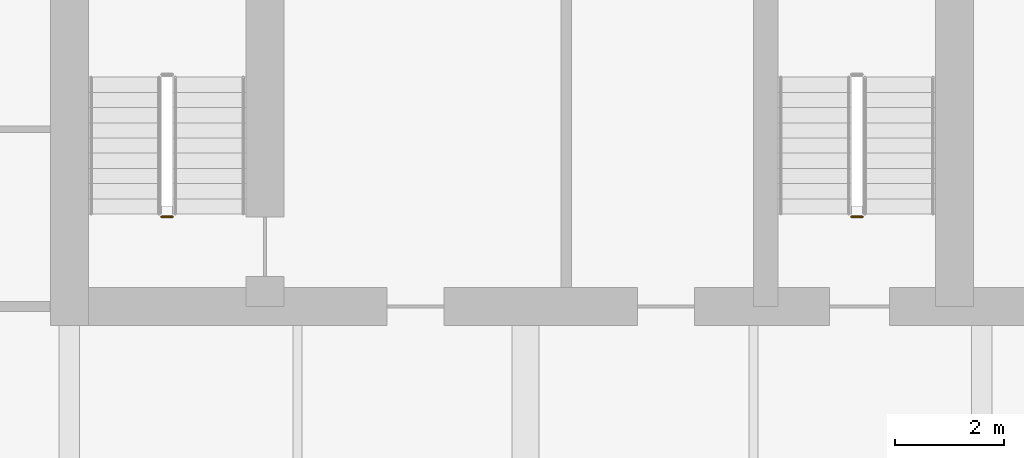
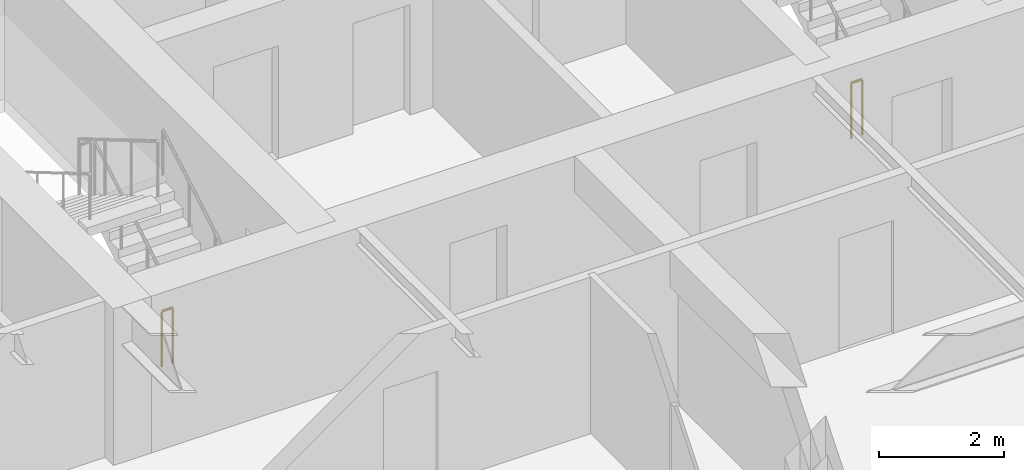
# One storey, part 14 of 17: 2 railings.
"""IFC4 building model written with IfcOpenShell, lengths in metres."""

from ifc_helpers import new_model, si_unit, direction, frame, origin, origin_2d, place, context, subcontext, project, spatial, circle, extrude, material, type_object, element, save


model = new_model("IFC4")

# Units and contexts
model_context = context("Model", 3, precision=1e-05, world=origin(), true_north=direction((0.0, 1.0)))
body_context = subcontext(model_context, "Body", "Model", "MODEL_VIEW")
ifc_project = project(units=[si_unit("LENGTHUNIT", "METRE"), si_unit("AREAUNIT", "SQUARE_METRE"), si_unit("VOLUMEUNIT", "CUBIC_METRE"), si_unit("PLANEANGLEUNIT", "RADIAN"), si_unit("MASSUNIT", "GRAM", prefix="KILO")], contexts=[model_context])

# Site, building, storey
site_placement = place(None, origin())
site = spatial("IfcSite", under=ifc_project, at=site_placement, CompositionType="ELEMENT")
building_placement = place(site_placement, origin())
building = spatial("IfcBuilding", under=site, at=building_placement, Name="Caelmar Bay Residences", CompositionType="ELEMENT")
storey_placement = place(building_placement, frame((0.0, 0.0, 246.300048828125)))
storey = spatial("IfcBuildingStorey", under=building, at=storey_placement, Name="L69", CompositionType="ELEMENT", Elevation=246.300048828125)

# Railings
ifc_material = material(Name="Painted galvanized steel stair guard 1100 mm", Category="steel")
railing_type = type_object("IfcRailingType", Name="RL-GRD-1100", PredefinedType="GUARDRAIL", material=ifc_material)
for number, where, name in (
    (1, (20.199951171875, 38.64990234375, 0.0), "L69 ST1 stair guard 4"),
    (2, (32.89990234375, 38.64990234375, 0.0), "L69 ST3 stair guard 4"),
):
    element("IfcRailing", number, at=place(storey_placement, frame(where)), inside=storey, type_object=railing_type, Name=name, PredefinedType="GUARDRAIL", context=body_context, shape_type="SweptSolid", body=[
        extrude(circle(Radius=0.02392578125, at=origin_2d()), frame((0.0, 0.0, 1.076171875), z_axis=(-1.0, 0.0, 0.0), x_axis=(0.0, -1.0, 0.0)), (0.0, 0.0, 1.0), 0.199951171875),
        extrude(circle(Radius=0.02099609375, at=origin_2d()), origin(), (0.0, 0.0, 1.0), 1.052001953125),
        extrude(circle(Radius=0.02099609375, at=origin_2d()), frame((-0.199951171875, 0.0, 0.0)), (0.0, 0.0, 1.0), 1.052001953125),
    ])

save(model, "model.ifc")
